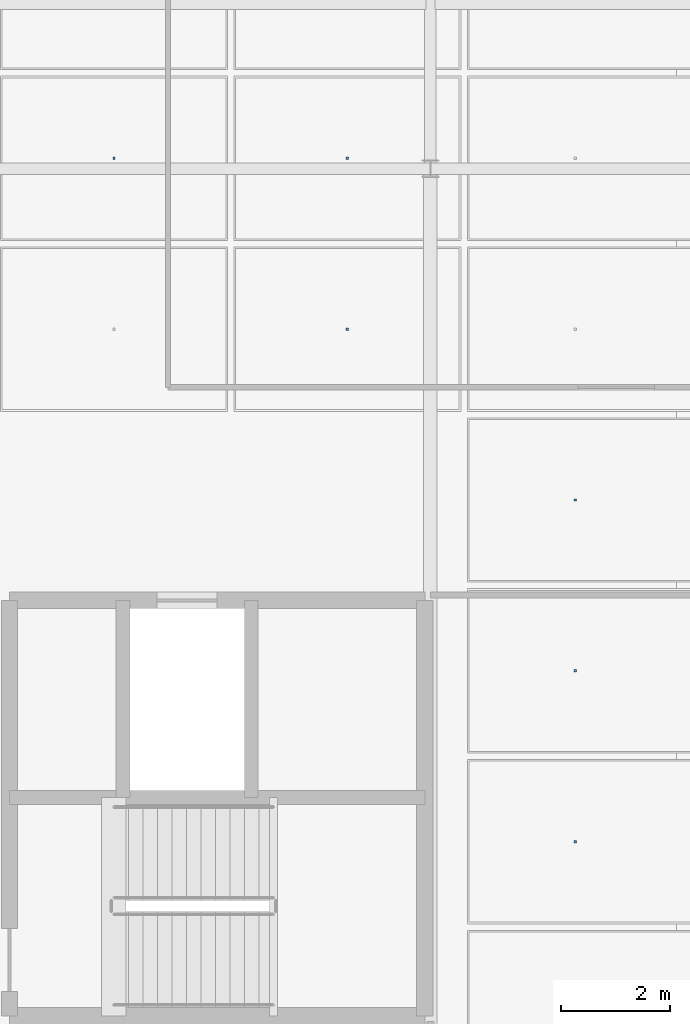
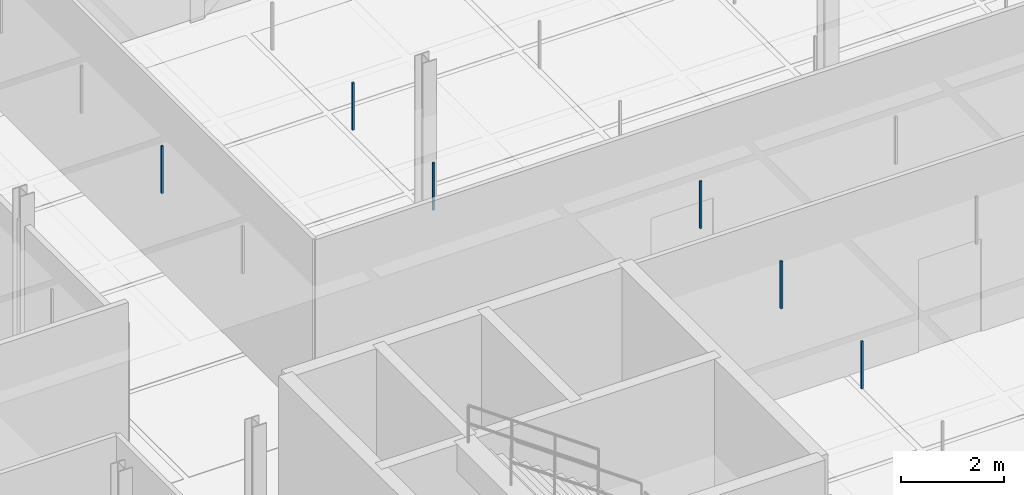
# One storey, part 95 of 130: 6 discrete accessories.
"""IFC4 building model written with IfcOpenShell, lengths in metres."""

from ifc_helpers import new_model, si_unit, direction, frame, origin, origin_2d, place, context, subcontext, project, spatial, rectangle, extrude, material, type_object, element, save


model = new_model("IFC4")

# Units and contexts
model_context = context("Model", 3, precision=1e-05, world=origin(), true_north=direction((0.0, 1.0)))
body_context = subcontext(model_context, "Body", "Model", "MODEL_VIEW")
ifc_project = project(units=[si_unit("LENGTHUNIT", "METRE"), si_unit("AREAUNIT", "SQUARE_METRE"), si_unit("VOLUMEUNIT", "CUBIC_METRE"), si_unit("PLANEANGLEUNIT", "RADIAN"), si_unit("MASSUNIT", "GRAM", prefix="KILO"), si_unit("THERMODYNAMICTEMPERATUREUNIT", "KELVIN"), si_unit("POWERUNIT", "WATT")], contexts=[model_context])

# Site, building, storey
site_placement = place(None, origin())
site = spatial("IfcSite", under=ifc_project, at=site_placement, CompositionType="ELEMENT")
building_placement = place(site_placement, origin())
building = spatial("IfcBuilding", under=site, at=building_placement, Name="Tallowbark Science Centre", CompositionType="ELEMENT")
storey_placement = place(building_placement, frame((0.0, 0.0, 5.39990234375)))
storey = spatial("IfcBuildingStorey", under=building, at=storey_placement, Name="L01", CompositionType="ELEMENT", Elevation=5.39990234375)

# Discrete accessories
ifc_material = material(Name="Galvanised Steel Grade C350L0 (350 MPa)", Category="steel")
discrete_accessory_type = type_object("IfcDiscreteAccessoryType", Name="ACC-CLG-HNG", PredefinedType="BRACKET", material=ifc_material)
for number, where, z_axis, x_axis, name in (
    (1, (75.21142578125, 90.1875, 3.205078125), (0.0, 0.0, 1.0), (1.0, 0.0, 0.0), "Ceiling Hanger Bracket L01-624"),
    (2, (79.480712890625, 87.0625, 3.205078125), (0.0, 0.0, 1.0), (1.0, 0.0, 0.0), "Ceiling Hanger Bracket L01-627"),
    (3, (79.480712890625, 90.1875, 3.205078125), (0.0, 0.0, 1.0), (1.0, 0.0, 0.0), "Ceiling Hanger Bracket L01-628"),
    (4, (83.652587890625, 77.6875, 3.205078125), (0.0, 0.0, 1.0), (1.0, 0.0, 0.0), "Ceiling Hanger Bracket L01-632"),
    (5, (83.652587890625, 80.8125, 3.205078125), (0.0, 0.0, 1.0), (1.0, 0.0, 0.0), "Ceiling Hanger Bracket L01-633"),
    (6, (83.652587890625, 83.9375, 3.205078125), (0.0, 0.0, 1.0), (1.0, 0.0, 0.0), "Ceiling Hanger Bracket L01-634"),
):
    element("IfcDiscreteAccessory", number, at=place(storey_placement, frame(where, z_axis=z_axis, x_axis=x_axis)), inside=storey, type_object=discrete_accessory_type, Name=name, PredefinedType="BRACKET", context=body_context, shape_type="SweptSolid", body=[
        extrude(rectangle(XDim=0.044921875, YDim=0.044921875, at=origin_2d()), origin(), (0.0, 0.0, 1.0), 1.117919921875),
    ])

save(model, "model.ifc")
